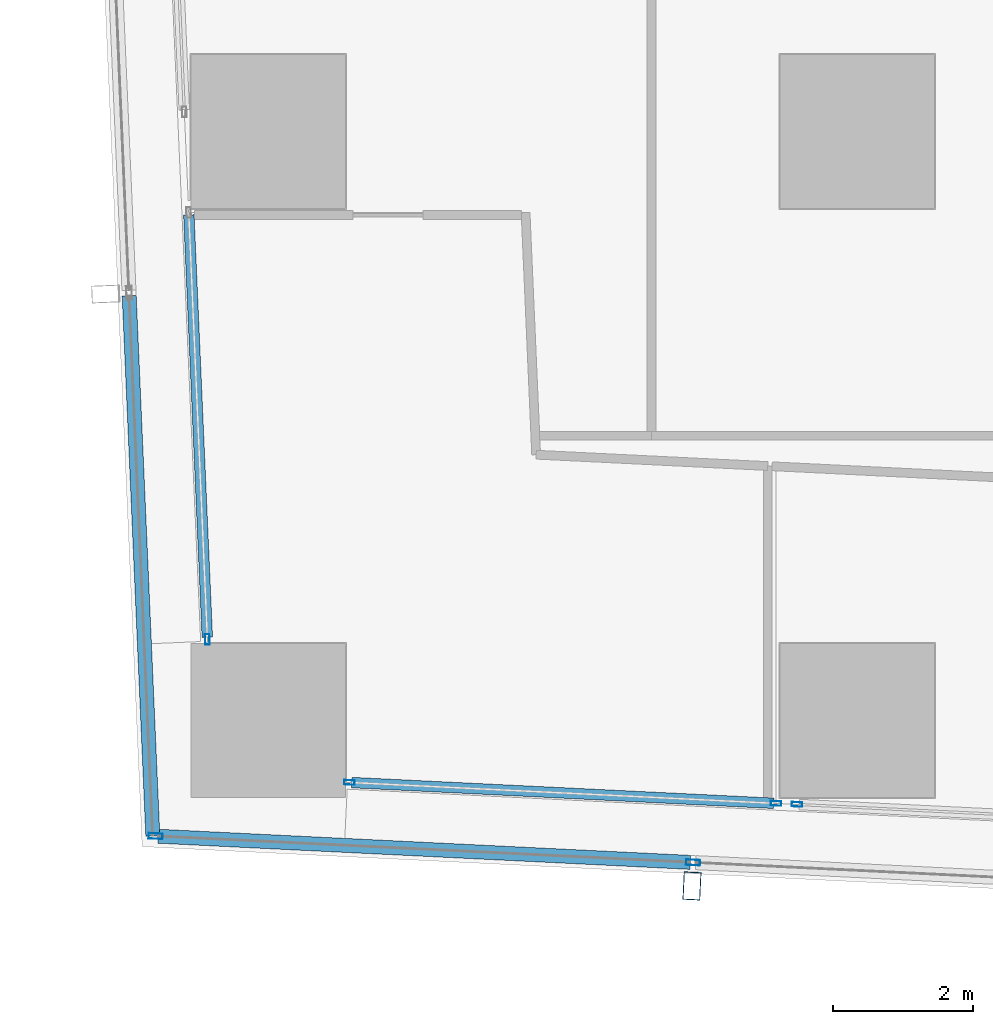
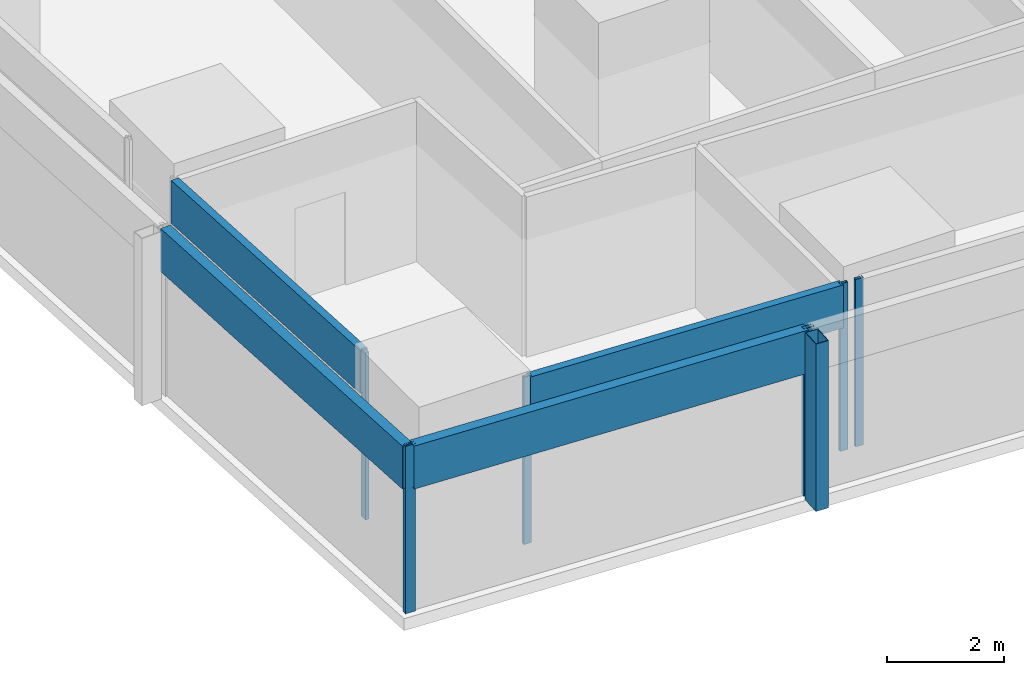
# One storey, part 2 of 44: 11 members, 5 elements without a shape of their own.
"""IFC4 building model written with IfcOpenShell, lengths in metres."""

from ifc_helpers import new_model, si_unit, direction, frame, origin, origin_2d, place, context, subcontext, project, spatial, hollow_rectangle, extrude, material, material_profile, profile_set, type_object, element, aggregate, save


model = new_model("IFC4")

# Units and contexts
model_context = context("Model", 3, precision=1e-05, world=origin(), true_north=direction((0.0, 1.0)))
body_context = subcontext(model_context, "Body", "Model", "MODEL_VIEW")
ifc_project = project(units=[si_unit("LENGTHUNIT", "METRE"), si_unit("AREAUNIT", "SQUARE_METRE"), si_unit("VOLUMEUNIT", "CUBIC_METRE"), si_unit("PLANEANGLEUNIT", "RADIAN"), si_unit("MASSUNIT", "GRAM", prefix="KILO")], contexts=[model_context])

# Site, building, storey
site_placement = place(None, origin())
site = spatial("IfcSite", under=ifc_project, at=site_placement, CompositionType="ELEMENT")
building_placement = place(site_placement, origin())
building = spatial("IfcBuilding", under=site, at=building_placement, Name="Rekha Terrace Tower", CompositionType="ELEMENT")
storey_placement = place(building_placement, frame((0.0, 0.0, 47.89990234375)))
storey = spatial("IfcBuildingStorey", under=building, at=storey_placement, Name="L11", CompositionType="ELEMENT", Elevation=47.89990234375)

# Curtain wall, member
ifc_material_1 = material(Name="Aluminium framing", Category="aluminium")
curtain_wall_type_1 = type_object("IfcCurtainWallType", Name="CW2 double skin outer glazing", PredefinedType="USERDEFINED", material=ifc_material_1)
curtain_wall_1_placement = place(storey_placement, origin())
curtain_wall_1 = element("IfcCurtainWall", 1, at=curtain_wall_1_placement, inside=storey, type_object=curtain_wall_type_1, Name="CW2 double skin outer glazing", ObjectType="DOUBLE SKIN OUTER GLAZING", PredefinedType="USERDEFINED")
ifc_material_2 = material(Name="Steel S355 with fluorocarbon finish", Category="steel")
ifc_material_profile_1 = material_profile(ifc_material_2, hollow_rectangle(XDim=0.25, YDim=0.39990234375, WallThickness=0.012451171875, at=origin_2d()), Name="RHS400x250x12.5")
ifc_profile_set_1 = profile_set([ifc_material_profile_1], Name="Steel S355 with fluorocarbon finish")
member_type_1 = type_object("IfcMemberType", Name="BL1 facade blade RHS 400 x 250", PredefinedType="USERDEFINED", material=ifc_profile_set_1)
member_1_placement = place(storey_placement, frame((14.443603515625, 6.03955078125, 0.0), z_axis=(0.0, 0.0, 1.0), x_axis=(0.998796226835, -0.049051985279, 0.0)))
member_1 = element("IfcMember", 2, at=member_1_placement, type_object=member_type_1, Name="Facade blade", ObjectType="FACADE BLADE", PredefinedType="USERDEFINED", context=body_context, shape_type="SweptSolid", body=[
    extrude(hollow_rectangle(XDim=0.25, YDim=0.39990234375, WallThickness=0.012451171875, at=origin_2d()), origin(), (0.0, 0.0, 1.0), 3.5),
])

# Curtain wall, members
curtain_wall_type_2 = type_object("IfcCurtainWallType", Name="CW1 double skin inner glazing", PredefinedType="USERDEFINED", material=ifc_material_1)
curtain_wall_2_placement = place(storey_placement, origin())
curtain_wall_2 = element("IfcCurtainWall", 3, at=curtain_wall_2_placement, inside=storey, type_object=curtain_wall_type_2, Name="CW1 double skin inner glazing", ObjectType="DOUBLE SKIN INNER GLAZING", PredefinedType="USERDEFINED")
ifc_material_3 = material(Name="Aluminium mullion section", Category="aluminium")
ifc_material_profile_2 = material_profile(ifc_material_3, hollow_rectangle(XDim=0.06494140625, YDim=0.14990234375, WallThickness=0.00390625, at=origin_2d()), Name="AL RHS 65x150")
ifc_profile_set_2 = profile_set([ifc_material_profile_2], Name="Aluminium mullion section")
member_type_2 = type_object("IfcMemberType", Name="CW1 mullion RHS 65 x 150", PredefinedType="MULLION", material=ifc_profile_set_2)
member_2_placement = place(storey_placement, frame((9.55712890625, 7.51611328125, 0.0), z_axis=(0.0, 0.0, 1.0), x_axis=(0.049051717693, 0.998796239977, 0.0)))
member_2 = element("IfcMember", 4, at=member_2_placement, type_object=member_type_2, Name="CW1 mullion 1", PredefinedType="MULLION", context=body_context, shape_type="SweptSolid", body=[
    extrude(hollow_rectangle(XDim=0.06494140625, YDim=0.14990234375, WallThickness=0.00390625, at=origin_2d()), origin(), (0.0, 0.0, 1.0), 3.5),
])
member_3_placement = place(storey_placement, frame((15.642822265625, 7.21728515625, 0.0), z_axis=(0.0, 0.0, 1.0), x_axis=(0.049051717693, 0.998796239977, 0.0)))
member_3 = element("IfcMember", 5, at=member_3_placement, type_object=member_type_2, Name="CW1 mullion 2", PredefinedType="MULLION", context=body_context, shape_type="SweptSolid", body=[
    extrude(hollow_rectangle(XDim=0.06494140625, YDim=0.14990234375, WallThickness=0.00390625, at=origin_2d()), origin(), (0.0, 0.0, 1.0), 3.5),
])

# Curtain wall, member
curtain_wall_3_placement = place(storey_placement, origin())
curtain_wall_3 = element("IfcCurtainWall", 6, at=curtain_wall_3_placement, inside=storey, type_object=curtain_wall_type_2, Name="CW1 double skin inner glazing", ObjectType="DOUBLE SKIN INNER GLAZING", PredefinedType="USERDEFINED")
member_4_placement = place(storey_placement, frame((15.94091796875, 7.20263671875, 0.0), z_axis=(0.0, 0.0, 1.0), x_axis=(0.049051717746, 0.998796239974, 0.0)))
member_4 = element("IfcMember", 7, at=member_4_placement, type_object=member_type_2, Name="CW1 mullion 1", PredefinedType="MULLION", context=body_context, shape_type="SweptSolid", body=[
    extrude(hollow_rectangle(XDim=0.06494140625, YDim=0.14990234375, WallThickness=0.00390625, at=origin_2d()), origin(), (0.0, 0.0, 1.0), 3.5),
])
aggregate(curtain_wall_3, [member_4])

curtain_wall_4_placement = place(storey_placement, origin())
curtain_wall_4 = element("IfcCurtainWall", 8, at=curtain_wall_4_placement, inside=storey, type_object=curtain_wall_type_2, Name="CW1 double skin inner glazing", ObjectType="DOUBLE SKIN INNER GLAZING", PredefinedType="USERDEFINED")
member_5_placement = place(storey_placement, frame((7.53173828125, 9.556640625, 0.0), z_axis=(0.0, 0.0, 1.0), x_axis=(0.999045462129, 0.043682543424, 0.0)))
member_5 = element("IfcMember", 9, at=member_5_placement, type_object=member_type_2, Name="CW1 mullion 2", PredefinedType="MULLION", context=body_context, shape_type="SweptSolid", body=[
    extrude(hollow_rectangle(XDim=0.06494140625, YDim=0.14990234375, WallThickness=0.00390625, at=origin_2d()), origin(), (0.0, 0.0, 1.0), 3.5),
])

# Member
ifc_material_4 = material(Name="Insulated aluminium spandrel box", Category="aluminium")
ifc_material_profile_3 = material_profile(ifc_material_4, hollow_rectangle(XDim=0.14990234375, YDim=0.89990234375, WallThickness=0.0029296875, at=origin_2d()), Name="AL SPANDREL BOX 150x900")
ifc_profile_set_3 = profile_set([ifc_material_profile_3], Name="Insulated aluminium spandrel box")
member_type_3 = type_object("IfcMemberType", Name="CW1 spandrel transom 150 x 900", PredefinedType="USERDEFINED", material=ifc_profile_set_3)
member_6_placement = place(storey_placement, frame((9.589599609375, 7.514404296875, 3.050048828125), z_axis=(0.99879648266, -0.049046775901, 0.0), x_axis=(0.049046775901, 0.99879648266, 0.0)))
member_6 = element("IfcMember", 10, at=member_6_placement, type_object=member_type_3, Name="CW1 spandrel transom 1", ObjectType="TRANSOM", PredefinedType="USERDEFINED", context=body_context, shape_type="SweptSolid", body=[
    extrude(hollow_rectangle(XDim=0.14990234375, YDim=0.89990234375, WallThickness=0.0029296875, at=origin_2d()), origin(), (0.0, 0.0, 1.0), 6.028076171875),
])

aggregate(curtain_wall_2, [member_2, member_3, member_6])

member_7_placement = place(storey_placement, frame((7.26708984375, 15.61083984375, 3.050048828125), z_axis=(0.043663972565, -0.999046273953, 0.0), x_axis=(0.999046273953, 0.043663972565, 0.0)))
member_7 = element("IfcMember", 11, at=member_7_placement, type_object=member_type_3, Name="CW1 spandrel transom 1", ObjectType="TRANSOM", PredefinedType="USERDEFINED", context=body_context, shape_type="SweptSolid", body=[
    extrude(hollow_rectangle(XDim=0.14990234375, YDim=0.89990234375, WallThickness=0.0029296875, at=origin_2d()), origin(), (0.0, 0.0, 1.0), 6.027587890625),
])

aggregate(curtain_wall_4, [member_5, member_7])

ifc_material_profile_4 = material_profile(ifc_material_3, hollow_rectangle(XDim=0.080078125, YDim=0.199951171875, WallThickness=0.00390625, at=origin_2d()), Name="AL RHS 80x200")
ifc_profile_set_4 = profile_set([ifc_material_profile_4], Name="Aluminium mullion section")
member_type_4 = type_object("IfcMemberType", Name="CW2 mullion RHS 80 x 200", PredefinedType="MULLION", material=ifc_profile_set_4)
member_8_placement = place(storey_placement, frame((6.79345703125, 6.750732421875, 0.0), z_axis=(0.0, 0.0, 1.0), x_axis=(0.049051717746, 0.998796239974, 0.0)))
member_8 = element("IfcMember", 12, at=member_8_placement, type_object=member_type_4, Name="CW2 mullion 1", PredefinedType="MULLION", context=body_context, shape_type="SweptSolid", body=[
    extrude(hollow_rectangle(XDim=0.080078125, YDim=0.199951171875, WallThickness=0.00390625, at=origin_2d()), origin(), (0.0, 0.0, 1.0), 3.5),
])

member_9_placement = place(storey_placement, frame((14.4599609375, 6.374267578125, 0.0), z_axis=(0.0, 0.0, 1.0), x_axis=(0.049051717746, 0.998796239974, 0.0)))
member_9 = element("IfcMember", 13, at=member_9_placement, type_object=member_type_4, Name="CW2 mullion 2", PredefinedType="MULLION", context=body_context, shape_type="SweptSolid", body=[
    extrude(hollow_rectangle(XDim=0.080078125, YDim=0.199951171875, WallThickness=0.00390625, at=origin_2d()), origin(), (0.0, 0.0, 1.0), 3.5),
])

ifc_material_profile_5 = material_profile(ifc_material_4, hollow_rectangle(XDim=0.199951171875, YDim=0.89990234375, WallThickness=0.0029296875, at=origin_2d()), Name="AL SPANDREL BOX 200x900")
ifc_profile_set_5 = profile_set([ifc_material_profile_5], Name="Insulated aluminium spandrel box")
member_type_5 = type_object("IfcMemberType", Name="CW2 spandrel transom 200 x 900", PredefinedType="USERDEFINED", material=ifc_profile_set_5)
member_10_placement = place(storey_placement, frame((6.83349609375, 6.748779296875, 3.050048828125), z_axis=(0.99879635036, -0.049049469996, 0.0), x_axis=(0.049049469996, 0.99879635036, 0.0)))
member_10 = element("IfcMember", 14, at=member_10_placement, type_object=member_type_5, Name="CW2 spandrel transom 1", ObjectType="TRANSOM", PredefinedType="USERDEFINED", context=body_context, shape_type="SweptSolid", body=[
    extrude(hollow_rectangle(XDim=0.199951171875, YDim=0.89990234375, WallThickness=0.0029296875, at=origin_2d()), origin(), (0.0, 0.0, 1.0), 7.595458984375),
])

aggregate(curtain_wall_1, [member_8, member_9, member_10, member_1])

# Curtain wall, member
curtain_wall_5_placement = place(storey_placement, origin())
curtain_wall_5 = element("IfcCurtainWall", 15, at=curtain_wall_5_placement, inside=storey, type_object=curtain_wall_type_1, Name="CW2 double skin outer glazing", ObjectType="DOUBLE SKIN OUTER GLAZING", PredefinedType="USERDEFINED")
member_11_placement = place(storey_placement, frame((6.41650390625, 14.45703125, 3.050048828125), z_axis=(0.043688638652, -0.999045195601, 0.0), x_axis=(0.999045195601, 0.043688638652, 0.0)))
member_11 = element("IfcMember", 16, at=member_11_placement, type_object=member_type_5, Name="CW2 spandrel transom 5", ObjectType="TRANSOM", PredefinedType="USERDEFINED", context=body_context, shape_type="SweptSolid", body=[
    extrude(hollow_rectangle(XDim=0.199951171875, YDim=0.89990234375, WallThickness=0.0029296875, at=origin_2d()), origin(), (0.0, 0.0, 1.0), 7.711669921875),
])
aggregate(curtain_wall_5, [member_11])

save(model, "model.ifc")
